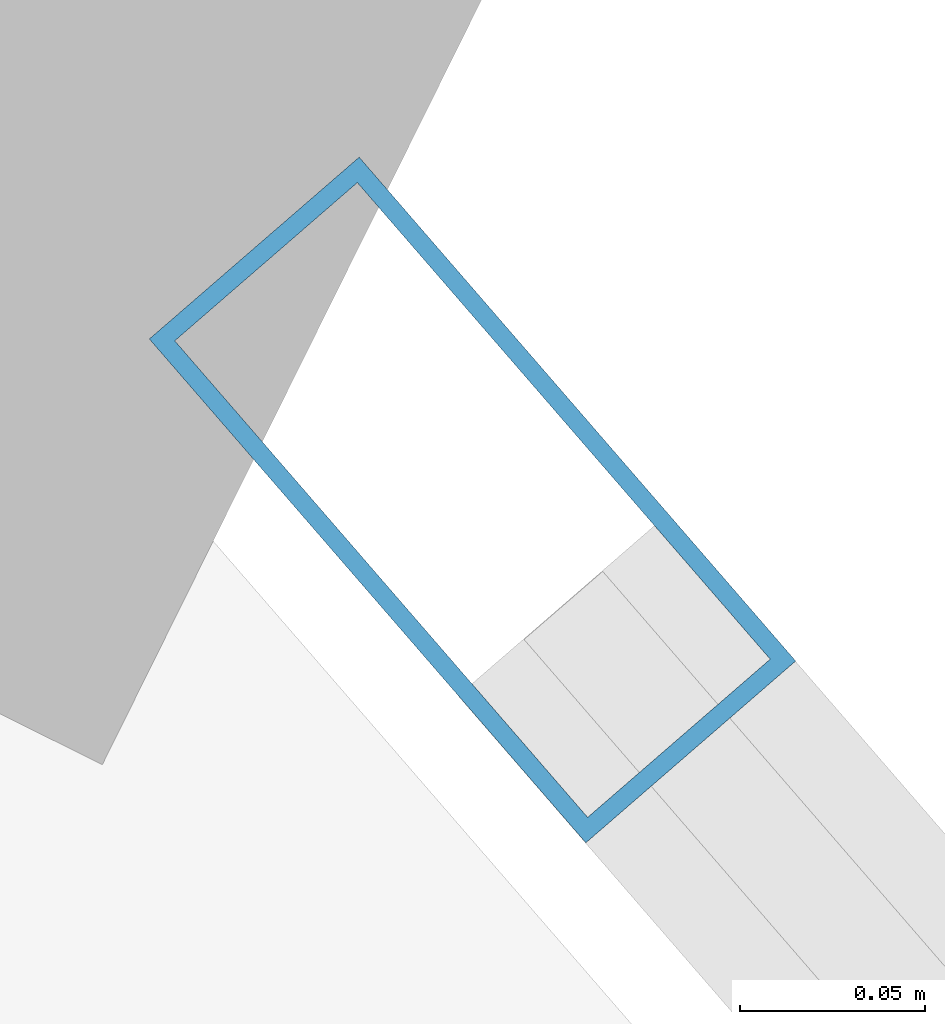
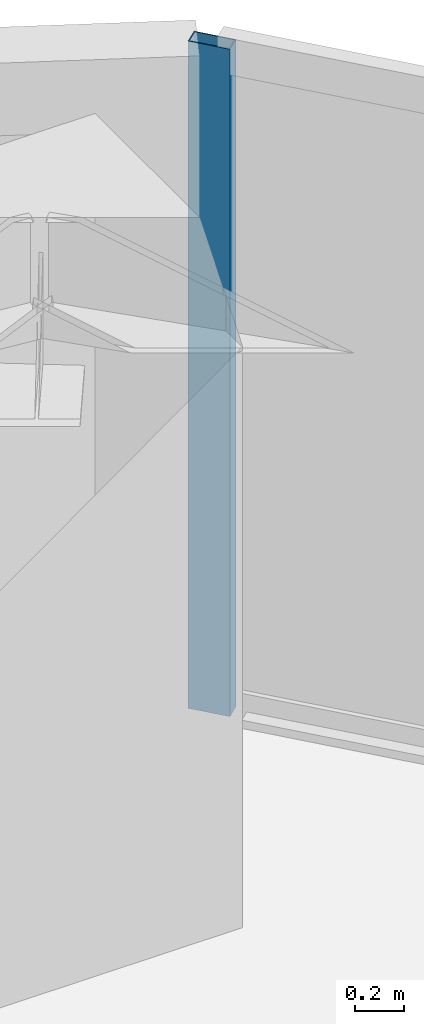
# One storey, part 12 of 22: 1 member, 1 element without a shape of its own.
"""IFC4 building model written with IfcOpenShell, lengths in metres."""

from ifc_helpers import new_model, si_unit, direction, frame, origin, origin_2d, place, context, subcontext, project, spatial, hollow_rectangle, extrude, source, transform, mapped, material, layer, layer_set, material_profile, profile_set, type_object, type_shapes, element, aggregate, save


model = new_model("IFC4")

# Units and contexts
model_context = context("Model", 3, precision=1e-05, world=origin(), true_north=direction((0.0, 1.0)))
body_context = subcontext(model_context, "Body", "Model", "MODEL_VIEW")
ifc_project = project(units=[si_unit("LENGTHUNIT", "METRE"), si_unit("AREAUNIT", "SQUARE_METRE"), si_unit("VOLUMEUNIT", "CUBIC_METRE"), si_unit("PLANEANGLEUNIT", "RADIAN"), si_unit("MASSUNIT", "GRAM", prefix="KILO")], contexts=[model_context])

# Site, building, storey
site_placement = place(None, origin())
site = spatial("IfcSite", under=ifc_project, at=site_placement, CompositionType="ELEMENT")
building_placement = place(site_placement, origin())
building = spatial("IfcBuilding", under=site, at=building_placement, Name="Talar Marvaseh", CompositionType="ELEMENT")
storey_placement = place(building_placement, frame((0.0, 0.0, 89.39990234375)))
storey = spatial("IfcBuildingStorey", under=building, at=storey_placement, Name="L22", CompositionType="ELEMENT", Elevation=89.39990234375)

# Curtain wall, member
ifc_material = material(Name="Architectural Aluminium", Category="aluminium")
ifc_layer = layer(ifc_material, 0.199951171875)
ifc_layer_set = layer_set([ifc_layer], Name="Architectural Aluminium")
curtain_wall_type = type_object("IfcCurtainWallType", Name="Unitised Acoustic Library Curtain Wall Z2", PredefinedType="NOTDEFINED", material=ifc_layer_set)
curtain_wall_placement = place(storey_placement, origin())
curtain_wall = element("IfcCurtainWall", 1, at=curtain_wall_placement, inside=storey, type_object=curtain_wall_type, Name="L22 Unitised Acoustic Library Curtain Wall Z2", PredefinedType="NOTDEFINED")
ifc_material_profile = material_profile(ifc_material, hollow_rectangle(XDim=0.074951171875, YDim=0.179931640625, WallThickness=0.0048828125, at=origin_2d()), Name="RHS180x75x5")
ifc_profile_set = profile_set([ifc_material_profile], Name="Architectural Aluminium")
member_type = type_object("IfcMemberType", Name="Unitised Curtain Wall Standard Mullion RHS180x75x5", PredefinedType="MULLION", material=ifc_profile_set)
shared_shape = source(origin(), body_context, "Body", "SweptSolid", [
    extrude(hollow_rectangle(XDim=0.074951171875, YDim=0.179931640625, WallThickness=0.0048828125, at=origin_2d()), origin(), (0.0, 0.0, 1.0), 3.31005859375),
])
type_shapes(member_type, [shared_shape])
member_placement = place(storey_placement, frame((38.136962890625, 43.28271484375, 0.0), z_axis=(0.0, 0.0, 1.0), x_axis=(0.755810558041, 0.654790348396, 0.0)))
member = element("IfcMember", 2, at=member_placement, type_object=member_type, Name="CW-Z2 mullion 1", PredefinedType="MULLION", context=body_context, shape_type="MappedRepresentation", body=[
    mapped(shared_shape, transform((0.0, 0.0, 0.0), x_axis=(1.0, 0.0, 0.0), y_axis=(0.0, 1.0, 0.0), z_axis=(0.0, 0.0, 1.0), scale=1.0)),
])
aggregate(curtain_wall, [member])

save(model, "model.ifc")
